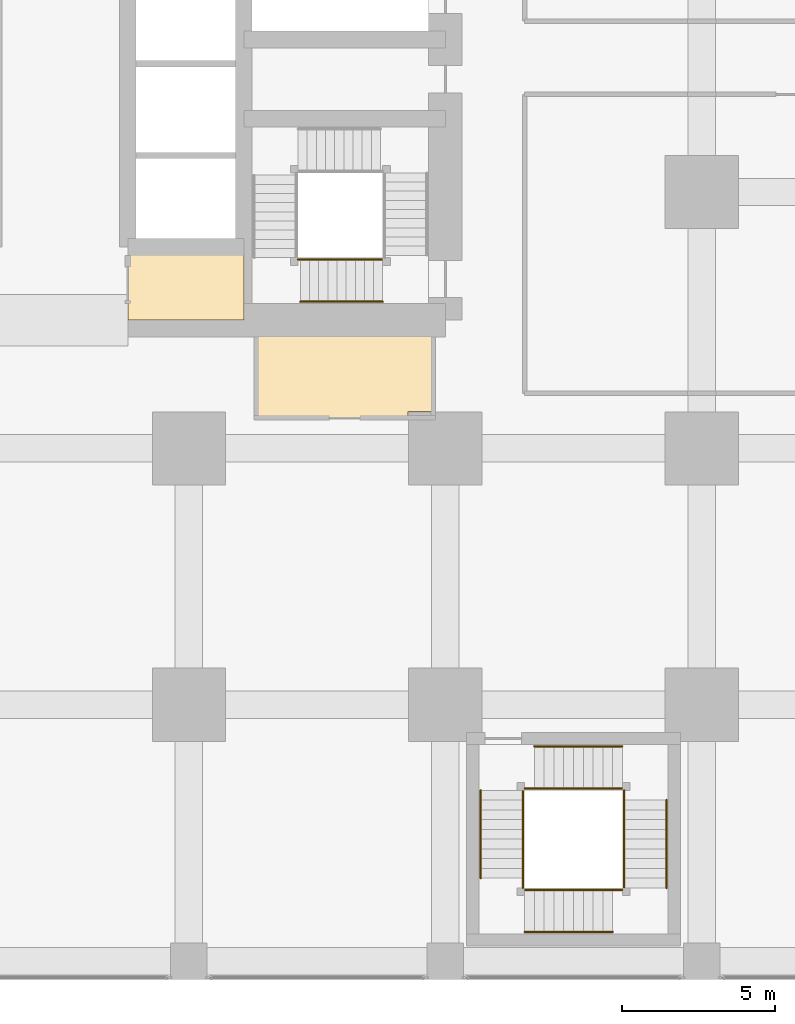
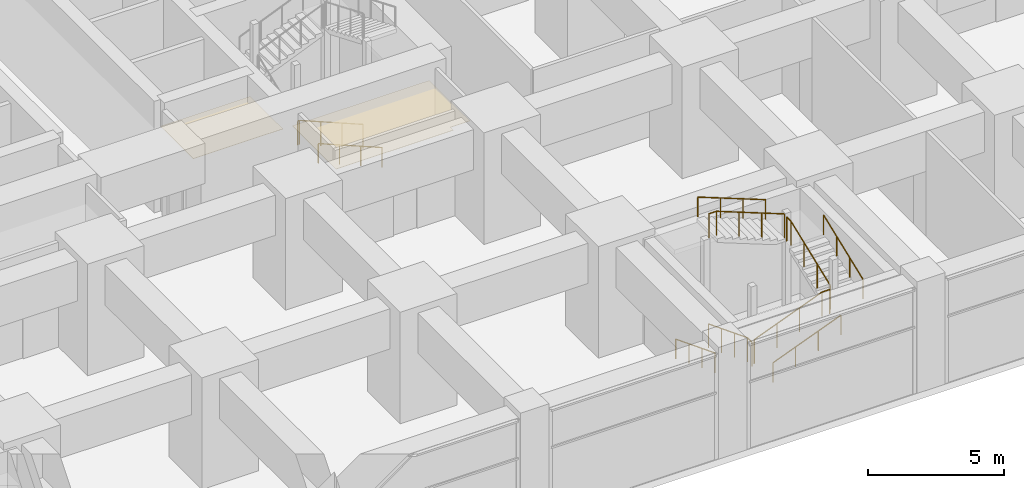
# One storey, part 43 of 49: 15 railings, 2 coverings.
"""IFC4 building model written with IfcOpenShell, lengths in metres."""

from ifc_helpers import new_model, si_unit, direction, frame, origin, origin_2d, place, context, subcontext, project, spatial, polyline, circle, outline, extrude, material, layer, layer_set, type_object, element, save


model = new_model("IFC4")

# Units and contexts
model_context = context("Model", 3, precision=1e-05, world=origin(), true_north=direction((0.0, 1.0)))
body_context = subcontext(model_context, "Body", "Model", "MODEL_VIEW")
ifc_project = project(units=[si_unit("LENGTHUNIT", "METRE"), si_unit("AREAUNIT", "SQUARE_METRE"), si_unit("VOLUMEUNIT", "CUBIC_METRE"), si_unit("PLANEANGLEUNIT", "RADIAN"), si_unit("MASSUNIT", "GRAM", prefix="KILO")], contexts=[model_context])

# Site, building, storey
site_placement = place(None, origin())
site = spatial("IfcSite", under=ifc_project, at=site_placement, CompositionType="ELEMENT")
building_placement = place(site_placement, origin())
building = spatial("IfcBuilding", under=site, at=building_placement, Name="Rekha Terrace Tower", CompositionType="ELEMENT")
storey_placement = place(building_placement, frame((0.0, 0.0, 10.39990234375)))
storey = spatial("IfcBuildingStorey", under=building, at=storey_placement, Name="L02", CompositionType="ELEMENT", Elevation=10.39990234375)

# Coverings
ifc_material_1 = material(Name="Fibre cement board", Category="finish")
ifc_layer = layer(ifc_material_1, 0.014892578125)
ifc_layer_set = layer_set([ifc_layer], Name="Fibre cement board")
covering_type = type_object("IfcCoveringType", Name="CL2 moisture-resistant board ceiling", PredefinedType="CEILING", material=ifc_layer_set)
covering_1_placement = place(storey_placement, frame((0.0, 0.0, 3.78515625)))
element("IfcCovering", 1, at=covering_1_placement, inside=storey, type_object=covering_type, Name="Ceiling L02-WCA", PredefinedType="CEILING", context=body_context, shape_type="SweptSolid", body=[
    extrude(outline(polyline([(43.800048828125, 23.39990234375), (40.0, 23.39990234375), (40.0, 21.0), (43.800048828125, 21.0), (43.800048828125, 23.39990234375)])), origin(), (0.0, 0.0, 1.0), 0.014892578125),
])
covering_2_placement = place(storey_placement, frame((0.0, 0.0, 3.78515625)))
element("IfcCovering", 2, at=covering_2_placement, inside=storey, type_object=covering_type, Name="Ceiling L02-WCM2", PredefinedType="CEILING", context=body_context, shape_type="SweptSolid", body=[
    extrude(outline(polyline([(50.0, 21.0), (44.199951171875, 21.0), (44.199951171875, 17.800048828125), (49.18505859375, 17.800048828125), (49.18505859375, 18.014892578125), (50.0, 18.014892578125), (50.0, 21.0)])), origin(), (0.0, 0.0, 1.0), 0.014892578125),
])

# Railings
ifc_material_2 = material(Name="Stainless steel balustrade", Category="steel")
railing_type_1 = type_object("IfcRailingType", Name="GR1 1100 stair guard", PredefinedType="GUARDRAIL", material=ifc_material_2)
railing_1_placement = place(storey_placement, frame((52.93994140625, 5.60009765625, 0.125)))
element("IfcRailing", 3, at=railing_1_placement, inside=storey, type_object=railing_type_1, Name="Guard SP4 L02 flight 1", PredefinedType="GUARDRAIL", context=body_context, shape_type="SweptSolid", body=[
    extrude(circle(Radius=0.02392578125, at=origin_2d()), frame((0.0, 0.0, 1.076171875), z_axis=(0.0, -0.931462784923, 0.363836612098), x_axis=(1.0, 0.0, 0.0)), (0.0, 0.0, 1.0), 3.092041015625),
    extrude(circle(Radius=0.02099609375, at=origin_2d()), origin(), (0.0, 0.0, 1.0), 1.052001953125),
    extrude(circle(Radius=0.02099609375, at=origin_2d()), frame((0.0, -0.9599609375, 0.375)), (0.0, 0.0, 1.0), 1.052001953125),
    extrude(circle(Radius=0.02099609375, at=origin_2d()), frame((0.0, -1.920166015625, 0.75)), (0.0, 0.0, 1.0), 1.052001953125),
    extrude(circle(Radius=0.02099609375, at=origin_2d()), frame((0.0, -2.880126953125, 1.125)), (0.0, 0.0, 1.0), 1.052001953125),
])
railing_2_placement = place(storey_placement, frame((53.0, 2.340087890625, 1.375)))
element("IfcRailing", 4, at=railing_2_placement, inside=storey, type_object=railing_type_1, Name="Guard SP4 L02 flight 2", PredefinedType="GUARDRAIL", context=body_context, shape_type="SweptSolid", body=[
    extrude(circle(Radius=0.02392578125, at=origin_2d()), frame((0.0, 0.0, 1.076171875), z_axis=(0.931452331594, 0.0, 0.363863372667), x_axis=(0.0, 1.0, 0.0)), (0.0, 0.0, 1.0), 3.091796875),
    extrude(circle(Radius=0.02099609375, at=origin_2d()), origin(), (0.0, 0.0, 1.0), 1.052001953125),
    extrude(circle(Radius=0.02099609375, at=origin_2d()), frame((0.9599609375, 0.0, 0.375)), (0.0, 0.0, 1.0), 1.052001953125),
    extrude(circle(Radius=0.02099609375, at=origin_2d()), frame((1.919921875, 0.0, 0.75)), (0.0, 0.0, 1.0), 1.052001953125),
    extrude(circle(Radius=0.02099609375, at=origin_2d()), frame((2.8798828125, 0.0, 1.125)), (0.0, 0.0, 1.0), 1.052001953125),
])
railing_3_placement = place(storey_placement, frame((56.260009765625, 2.39990234375, 2.625)))
element("IfcRailing", 5, at=railing_3_placement, inside=storey, type_object=railing_type_1, Name="Guard SP4 L02 flight 3", PredefinedType="GUARDRAIL", context=body_context, shape_type="SweptSolid", body=[
    extrude(circle(Radius=0.02392578125, at=origin_2d()), frame((0.0, 0.0, 1.076171875), z_axis=(0.0, 0.931462784923, 0.363836612098), x_axis=(-1.0, 0.0, 0.0)), (0.0, 0.0, 1.0), 3.092041015625),
    extrude(circle(Radius=0.02099609375, at=origin_2d()), origin(), (0.0, 0.0, 1.0), 1.052001953125),
    extrude(circle(Radius=0.02099609375, at=origin_2d()), frame((0.0, 0.9599609375, 0.375)), (0.0, 0.0, 1.0), 1.052001953125),
    extrude(circle(Radius=0.02099609375, at=origin_2d()), frame((0.0, 1.920166015625, 0.75)), (0.0, 0.0, 1.0), 1.052001953125),
    extrude(circle(Radius=0.02099609375, at=origin_2d()), frame((0.0, 2.880126953125, 1.125)), (0.0, 0.0, 1.0), 1.052001953125),
])
railing_4_placement = place(storey_placement, frame((56.199951171875, 5.659912109375, 3.875)))
element("IfcRailing", 6, at=railing_4_placement, inside=storey, type_object=railing_type_1, Name="Guard SP4 L02 flight 4", PredefinedType="GUARDRAIL", context=body_context, shape_type="SweptSolid", body=[
    extrude(circle(Radius=0.02392578125, at=origin_2d()), frame((0.0, 0.0, 1.076171875), z_axis=(-0.931452331594, 0.0, 0.363863372667), x_axis=(0.0, -1.0, 0.0)), (0.0, 0.0, 1.0), 3.091796875),
    extrude(circle(Radius=0.02099609375, at=origin_2d()), origin(), (0.0, 0.0, 1.0), 1.052001953125),
    extrude(circle(Radius=0.02099609375, at=origin_2d()), frame((-0.9599609375, 0.0, 0.375)), (0.0, 0.0, 1.0), 1.052001953125),
    extrude(circle(Radius=0.02099609375, at=origin_2d()), frame((-1.919921875, 0.0, 0.75)), (0.0, 0.0, 1.0), 1.052001953125),
    extrude(circle(Radius=0.02099609375, at=origin_2d()), frame((-2.8798828125, 0.0, 1.125)), (0.0, 0.0, 1.0), 1.052001953125),
])
railing_5_placement = place(storey_placement, frame((52.93994140625, 2.719970703125, 1.25)))
element("IfcRailing", 7, at=railing_5_placement, inside=storey, type_object=railing_type_1, Name="Guard SP4 L02 landing 1", PredefinedType="GUARDRAIL", context=body_context, shape_type="SweptSolid", body=[
    extrude(circle(Radius=0.02392578125, at=origin_2d()), frame((0.0, 0.0, 1.076171875), z_axis=(0.0, -1.0, 0.0), x_axis=(1.0, 0.0, 0.0)), (0.0, 0.0, 1.0), 0.320068359375),
    extrude(circle(Radius=0.02099609375, at=origin_2d()), origin(), (0.0, 0.0, 1.0), 1.052001953125),
    extrude(circle(Radius=0.02099609375, at=origin_2d()), frame((0.0, -0.320068359375, 0.0)), (0.0, 0.0, 1.0), 1.052001953125),
])
railing_6_placement = place(storey_placement, frame((55.8798828125, 2.340087890625, 2.5)))
element("IfcRailing", 8, at=railing_6_placement, inside=storey, type_object=railing_type_1, Name="Guard SP4 L02 landing 2", PredefinedType="GUARDRAIL", context=body_context, shape_type="SweptSolid", body=[
    extrude(circle(Radius=0.02392578125, at=origin_2d()), frame((0.0, 0.0, 1.076171875), z_axis=(1.0, 0.0, 0.0), x_axis=(0.0, 1.0, 0.0)), (0.0, 0.0, 1.0), 0.320068359375),
    extrude(circle(Radius=0.02099609375, at=origin_2d()), origin(), (0.0, 0.0, 1.0), 1.052001953125),
    extrude(circle(Radius=0.02099609375, at=origin_2d()), frame((0.320068359375, 0.0, 0.0)), (0.0, 0.0, 1.0), 1.052001953125),
])
railing_7_placement = place(storey_placement, frame((56.260009765625, 5.60009765625, 3.75)))
element("IfcRailing", 9, at=railing_7_placement, inside=storey, type_object=railing_type_1, Name="Guard SP4 L02 landing 3", PredefinedType="GUARDRAIL", context=body_context, shape_type="SweptSolid", body=[
    extrude(circle(Radius=0.02392578125, at=origin_2d()), frame((0.0, 0.0, 1.076171875), z_axis=(0.0, -1.0, 0.0), x_axis=(1.0, 0.0, 0.0)), (0.0, 0.0, 1.0), 0.320068359375),
    extrude(circle(Radius=0.02099609375, at=origin_2d()), origin(), (0.0, 0.0, 1.0), 1.052001953125),
    extrude(circle(Radius=0.02099609375, at=origin_2d()), frame((0.0, -0.320068359375, 0.0)), (0.0, 0.0, 1.0), 1.052001953125),
])
railing_8_placement = place(storey_placement, frame((53.0, 5.659912109375, 5.0)))
element("IfcRailing", 10, at=railing_8_placement, inside=storey, type_object=railing_type_1, Name="Guard SP4 L02 landing 4", PredefinedType="GUARDRAIL", context=body_context, shape_type="SweptSolid", body=[
    extrude(circle(Radius=0.02392578125, at=origin_2d()), frame((0.0, 0.0, 1.076171875), z_axis=(1.0, 0.0, 0.0), x_axis=(0.0, 1.0, 0.0)), (0.0, 0.0, 1.0), 0.320068359375),
    extrude(circle(Radius=0.02099609375, at=origin_2d()), origin(), (0.0, 0.0, 1.0), 1.052001953125),
    extrude(circle(Radius=0.02099609375, at=origin_2d()), frame((0.320068359375, 0.0, 0.0)), (0.0, 0.0, 1.0), 1.052001953125),
])
railing_9_placement = place(storey_placement, frame((48.35009765625, 22.989990234375, 0.125)))
element("IfcRailing", 11, at=railing_9_placement, inside=storey, type_object=railing_type_1, Name="Guard ST3 L02 flight 1", PredefinedType="GUARDRAIL", context=body_context, shape_type="SweptSolid", body=[
    extrude(circle(Radius=0.02392578125, at=origin_2d()), frame((0.0, 0.0, 1.076171875), z_axis=(-0.923086799901, 0.0, 0.38459167938), x_axis=(0.0, -1.0, 0.0)), (0.0, 0.0, 1.0), 2.92529296875),
    extrude(circle(Radius=0.02099609375, at=origin_2d()), origin(), (0.0, 0.0, 1.0), 1.052001953125),
    extrude(circle(Radius=0.02099609375, at=origin_2d()), frame((-0.900146484375, 0.0, 0.375)), (0.0, 0.0, 1.0), 1.052001953125),
    extrude(circle(Radius=0.02099609375, at=origin_2d()), frame((-1.800048828125, 0.0, 0.75)), (0.0, 0.0, 1.0), 1.052001953125),
    extrude(circle(Radius=0.02099609375, at=origin_2d()), frame((-2.7001953125, 0.0, 1.125)), (0.0, 0.0, 1.0), 1.052001953125),
])
railing_10_placement = place(storey_placement, frame((45.64990234375, 22.989990234375, 1.25)))
element("IfcRailing", 12, at=railing_10_placement, inside=storey, type_object=railing_type_1, Name="Guard ST3 L02 landing 1", PredefinedType="GUARDRAIL", context=body_context, shape_type="SweptSolid", body=[
    extrude(circle(Radius=0.02392578125, at=origin_2d()), frame((0.0, 0.0, 1.076171875), z_axis=(-1.0, 0.0, 0.0), x_axis=(0.0, -1.0, 0.0)), (0.0, 0.0, 1.0), 0.074951171875),
    extrude(circle(Radius=0.02099609375, at=origin_2d()), origin(), (0.0, 0.0, 1.0), 1.052001953125),
    extrude(circle(Radius=0.02099609375, at=origin_2d()), frame((-0.074951171875, 0.0, 0.0)), (0.0, 0.0, 1.0), 1.052001953125),
])
ifc_material_3 = material(Name="Stainless steel tube", Category="steel")
railing_type_2 = type_object("IfcRailingType", Name="HR1 900 stair handrail", PredefinedType="HANDRAIL", material=ifc_material_3)
railing_11_placement = place(storey_placement, frame((51.56005859375, 5.60009765625, 0.125)))
element("IfcRailing", 13, at=railing_11_placement, inside=storey, type_object=railing_type_2, Name="Handrail SP4 L02 flight 1", PredefinedType="HANDRAIL", context=body_context, shape_type="SweptSolid", body=[
    extrude(circle(Radius=0.02392578125, at=origin_2d()), frame((0.0, 0.0, 0.8759765625), z_axis=(0.0, -0.931462784923, 0.363836612098), x_axis=(1.0, 0.0, 0.0)), (0.0, 0.0, 1.0), 3.092041015625),
    extrude(circle(Radius=0.02099609375, at=origin_2d()), origin(), (0.0, 0.0, 1.0), 0.851806640625),
    extrude(circle(Radius=0.02099609375, at=origin_2d()), frame((0.0, -0.9599609375, 0.375)), (0.0, 0.0, 1.0), 0.851806640625),
    extrude(circle(Radius=0.02099609375, at=origin_2d()), frame((0.0, -1.920166015625, 0.75)), (0.0, 0.0, 1.0), 0.851806640625),
    extrude(circle(Radius=0.02099609375, at=origin_2d()), frame((0.0, -2.880126953125, 1.125)), (0.0, 0.0, 1.0), 0.851806640625),
])
railing_12_placement = place(storey_placement, frame((53.0, 0.9599609375, 1.375)))
element("IfcRailing", 14, at=railing_12_placement, inside=storey, type_object=railing_type_2, Name="Handrail SP4 L02 flight 2", PredefinedType="HANDRAIL", context=body_context, shape_type="SweptSolid", body=[
    extrude(circle(Radius=0.02392578125, at=origin_2d()), frame((0.0, 0.0, 0.8759765625), z_axis=(0.931452331594, 0.0, 0.363863372667), x_axis=(0.0, 1.0, 0.0)), (0.0, 0.0, 1.0), 3.091796875),
    extrude(circle(Radius=0.02099609375, at=origin_2d()), origin(), (0.0, 0.0, 1.0), 0.851806640625),
    extrude(circle(Radius=0.02099609375, at=origin_2d()), frame((0.9599609375, 0.0, 0.375)), (0.0, 0.0, 1.0), 0.851806640625),
    extrude(circle(Radius=0.02099609375, at=origin_2d()), frame((1.919921875, 0.0, 0.75)), (0.0, 0.0, 1.0), 0.851806640625),
    extrude(circle(Radius=0.02099609375, at=origin_2d()), frame((2.8798828125, 0.0, 1.125)), (0.0, 0.0, 1.0), 0.851806640625),
])
railing_13_placement = place(storey_placement, frame((57.639892578125, 2.39990234375, 2.625)))
element("IfcRailing", 15, at=railing_13_placement, inside=storey, type_object=railing_type_2, Name="Handrail SP4 L02 flight 3", PredefinedType="HANDRAIL", context=body_context, shape_type="SweptSolid", body=[
    extrude(circle(Radius=0.02392578125, at=origin_2d()), frame((0.0, 0.0, 0.8759765625), z_axis=(0.0, 0.931462784923, 0.363836612098), x_axis=(-1.0, 0.0, 0.0)), (0.0, 0.0, 1.0), 3.092041015625),
    extrude(circle(Radius=0.02099609375, at=origin_2d()), origin(), (0.0, 0.0, 1.0), 0.851806640625),
    extrude(circle(Radius=0.02099609375, at=origin_2d()), frame((0.0, 0.9599609375, 0.375)), (0.0, 0.0, 1.0), 0.851806640625),
    extrude(circle(Radius=0.02099609375, at=origin_2d()), frame((0.0, 1.920166015625, 0.75)), (0.0, 0.0, 1.0), 0.851806640625),
    extrude(circle(Radius=0.02099609375, at=origin_2d()), frame((0.0, 2.880126953125, 1.125)), (0.0, 0.0, 1.0), 0.851806640625),
])
railing_14_placement = place(storey_placement, frame((56.199951171875, 7.0400390625, 3.875)))
element("IfcRailing", 16, at=railing_14_placement, inside=storey, type_object=railing_type_2, Name="Handrail SP4 L02 flight 4", PredefinedType="HANDRAIL", context=body_context, shape_type="SweptSolid", body=[
    extrude(circle(Radius=0.02392578125, at=origin_2d()), frame((0.0, 0.0, 0.8759765625), z_axis=(-0.931452331594, 0.0, 0.363863372667), x_axis=(0.0, -1.0, 0.0)), (0.0, 0.0, 1.0), 3.091796875),
    extrude(circle(Radius=0.02099609375, at=origin_2d()), origin(), (0.0, 0.0, 1.0), 0.851806640625),
    extrude(circle(Radius=0.02099609375, at=origin_2d()), frame((-0.9599609375, 0.0, 0.375)), (0.0, 0.0, 1.0), 0.851806640625),
    extrude(circle(Radius=0.02099609375, at=origin_2d()), frame((-1.919921875, 0.0, 0.75)), (0.0, 0.0, 1.0), 0.851806640625),
    extrude(circle(Radius=0.02099609375, at=origin_2d()), frame((-2.8798828125, 0.0, 1.125)), (0.0, 0.0, 1.0), 0.851806640625),
])
railing_15_placement = place(storey_placement, frame((48.35009765625, 21.610107421875, 0.125)))
element("IfcRailing", 17, at=railing_15_placement, inside=storey, type_object=railing_type_2, Name="Handrail ST3 L02 flight 1", PredefinedType="HANDRAIL", context=body_context, shape_type="SweptSolid", body=[
    extrude(circle(Radius=0.02392578125, at=origin_2d()), frame((0.0, 0.0, 0.8759765625), z_axis=(-0.923086799901, 0.0, 0.38459167938), x_axis=(0.0, -1.0, 0.0)), (0.0, 0.0, 1.0), 2.92529296875),
    extrude(circle(Radius=0.02099609375, at=origin_2d()), origin(), (0.0, 0.0, 1.0), 0.851806640625),
    extrude(circle(Radius=0.02099609375, at=origin_2d()), frame((-0.900146484375, 0.0, 0.375)), (0.0, 0.0, 1.0), 0.851806640625),
    extrude(circle(Radius=0.02099609375, at=origin_2d()), frame((-1.800048828125, 0.0, 0.75)), (0.0, 0.0, 1.0), 0.851806640625),
    extrude(circle(Radius=0.02099609375, at=origin_2d()), frame((-2.7001953125, 0.0, 1.125)), (0.0, 0.0, 1.0), 0.851806640625),
])

save(model, "model.ifc")
